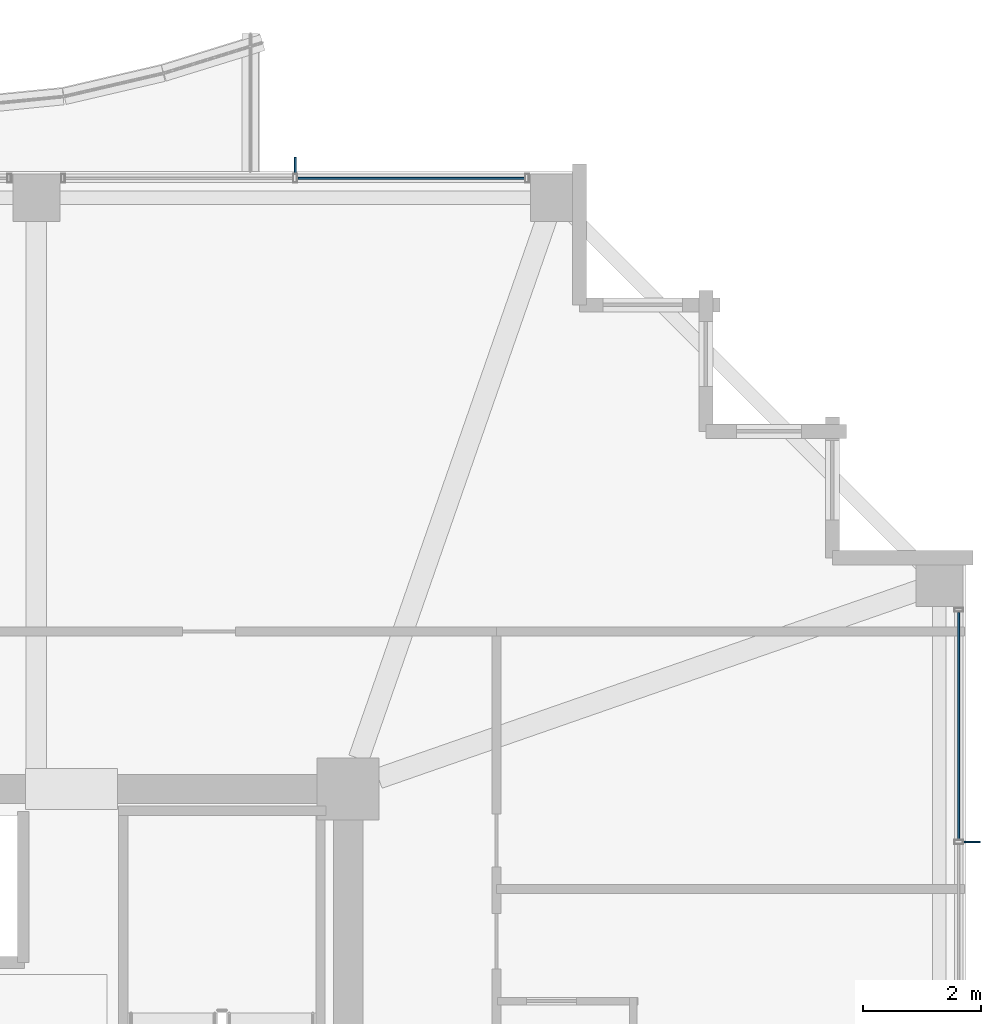
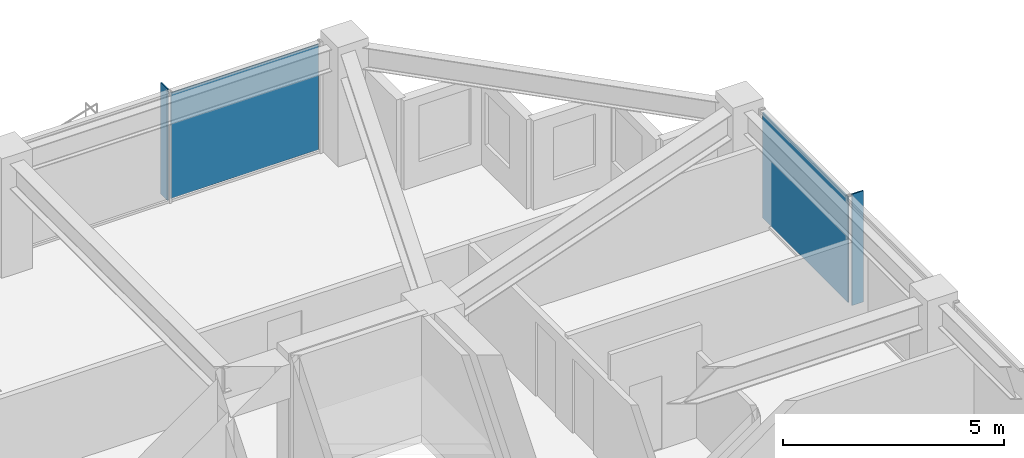
# One storey, part 29 of 36: 4 plates, 2 elements without a shape of their own.
"""IFC4 building model written with IfcOpenShell, lengths in metres."""

from ifc_helpers import new_model, si_unit, direction, frame, origin, origin_2d, place, context, subcontext, project, spatial, rectangle, extrude, material, layer, layer_set, type_object, element, aggregate, save


model = new_model("IFC4")

# Units and contexts
model_context = context("Model", 3, precision=1e-05, world=origin(), true_north=direction((0.0, 1.0)))
body_context = subcontext(model_context, "Body", "Model", "MODEL_VIEW")
ifc_project = project(units=[si_unit("LENGTHUNIT", "METRE"), si_unit("AREAUNIT", "SQUARE_METRE"), si_unit("VOLUMEUNIT", "CUBIC_METRE"), si_unit("PLANEANGLEUNIT", "RADIAN"), si_unit("MASSUNIT", "GRAM", prefix="KILO")], contexts=[model_context])

# Site, building, storey
site_placement = place(None, origin())
site = spatial("IfcSite", under=ifc_project, at=site_placement, CompositionType="ELEMENT")
building_placement = place(site_placement, origin())
building = spatial("IfcBuilding", under=site, at=building_placement, Name="Kolvaren Belvedere", CompositionType="ELEMENT")
storey_placement = place(building_placement, frame((0.0, 0.0, 193.199951171875)))
storey = spatial("IfcBuildingStorey", under=building, at=storey_placement, Name="L56", CompositionType="ELEMENT", Elevation=193.199951171875)

# Curtain wall, plate
ifc_material_1 = material(Name="Anodised pale-metal aluminium AA 6063-T6", Category="aluminium")
curtain_wall_type = type_object("IfcCurtainWallType", Name="CW-Z5-HIGH", PredefinedType="NOTDEFINED", material=ifc_material_1)
curtain_wall_1_placement = place(storey_placement, origin())
curtain_wall_1 = element("IfcCurtainWall", 1, at=curtain_wall_1_placement, inside=storey, type_object=curtain_wall_type, Name="L56 Unitised Curtain Wall FCW-L56-E-B1", PredefinedType="NOTDEFINED")
ifc_material_2 = material(Name="Low-iron triple insulated glass", Category="glass")
ifc_layer_1 = layer(ifc_material_2, 0.028076171875)
ifc_layer_set_1 = layer_set([ifc_layer_1], Name="Low-iron triple insulated glass")
plate_type_1 = type_object("IfcPlateType", Name="CW-PNL-VIS28", PredefinedType="CURTAIN_PANEL", material=ifc_layer_set_1)
plate_1_placement = place(storey_placement, frame((20.280029296875, 10.972412109375, 0.080078125), z_axis=(0.0, 0.0, 1.0), x_axis=(0.0, -1.0, 0.0)))
plate_1 = element("IfcPlate", 2, at=plate_1_placement, type_object=plate_type_1, Name="FCW-L56-E-B1 Vision Glazing Panel 1", PredefinedType="CURTAIN_PANEL", context=body_context, shape_type="SweptSolid", body=[
    extrude(rectangle(XDim=3.864990234375, YDim=0.028076171875, at=origin_2d()), origin(), (0.0, 0.0, 1.0), 2.919921875),
])
aggregate(curtain_wall_1, [plate_1])

curtain_wall_2_placement = place(storey_placement, origin())
curtain_wall_2 = element("IfcCurtainWall", 3, at=curtain_wall_2_placement, inside=storey, type_object=curtain_wall_type, Name="L56 Unitised Curtain Wall FCW-L56-N2-B2", PredefinedType="NOTDEFINED")
plate_2_placement = place(storey_placement, frame((10.972412109375, 20.280029296875, 0.080078125), z_axis=(0.0, 0.0, 1.0), x_axis=(1.0, 0.0, 0.0)))
plate_2 = element("IfcPlate", 4, at=plate_2_placement, type_object=plate_type_1, Name="FCW-L56-N2-B2 Vision Glazing Panel 2", PredefinedType="CURTAIN_PANEL", context=body_context, shape_type="SweptSolid", body=[
    extrude(rectangle(XDim=3.864990234375, YDim=0.028076171875, at=origin_2d()), origin(), (0.0, 0.0, 1.0), 2.919921875),
])
aggregate(curtain_wall_2, [plate_2])

# Plates
ifc_material_3 = material(Name="Anodised pale-metal aluminium AA 6063-T6", Category="aluminium")
ifc_layer_2 = layer(ifc_material_3, 0.030029296875)
ifc_layer_set_2 = layer_set([ifc_layer_2], Name="Anodised pale-metal aluminium AA 6063-T6")
plate_type_2 = type_object("IfcPlateType", Name="FIN-VERT-300", PredefinedType="USERDEFINED", material=ifc_layer_set_2)
for number, where, z_axis, x_axis, name in (
    (5, (20.489990234375, 9.0, 0.0), (0.0, 0.0, 1.0), (1.0, 0.0, 0.0), "L56 Pale-Metal Vertical Shading Fin FCW-L56-E-B1-1"),
    (6, (9.0, 20.489990234375, 0.0), (0.0, 0.0, 1.0), (0.0, 1.0, 0.0), "L56 Pale-Metal Vertical Shading Fin FCW-L56-N2-B2-1"),
):
    element("IfcPlate", number, at=place(storey_placement, frame(where, z_axis=z_axis, x_axis=x_axis)), inside=storey, type_object=plate_type_2, Name=name, ObjectType="VERTICAL FIN", PredefinedType="USERDEFINED", context=body_context, shape_type="SweptSolid", body=[
        extrude(rectangle(XDim=0.300048828125, YDim=0.030029296875, at=origin_2d()), origin(), (0.0, 0.0, 1.0), 3.080078125),
    ])

save(model, "model.ifc")
